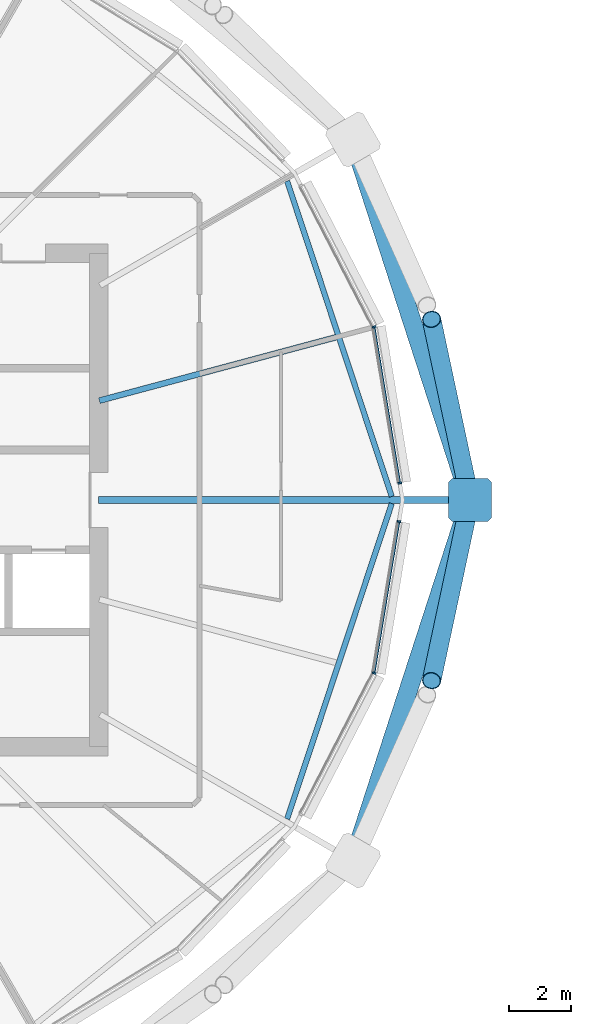
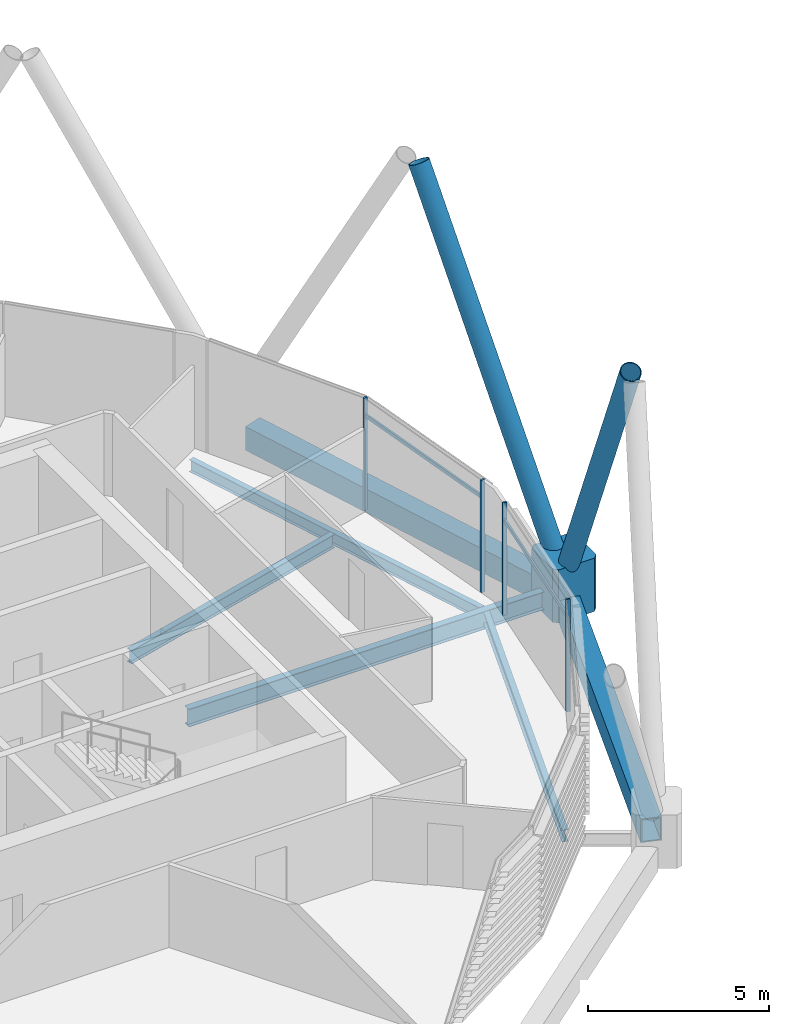
# One storey, part 8 of 35: 9 members, 6 beams, 1 element without a shape of its own.
"""IFC4 building model written with IfcOpenShell, lengths in metres."""

import ifcopenshell
import ifcopenshell.guid

model = None  # the IFC model being written
_history = None  # IfcOwnerHistory: only IFC2X3 demands one
_inside = {}  # id of a spatial element -> (the spatial element, [elements in it])
_under = {}  # id of a project, library or spatial element -> (it, [spatial elements below it])
_declared = {}  # id of a project -> (the project, [libraries it declares])
_typed = {}  # id of a type object -> (the type object, [elements of that type])
_made_of = {}  # id of a material, layer set ... -> (it, [elements and type objects made of it])


def new_model(schema):
    """Start an empty IFC model of exactly this schema.

    Asked for "IFC4X3", IfcOpenShell would pick the latest addendum, in which some entities
    have other attributes; the version numbers below select the first issue.
    IFC2X3 requires an IfcOwnerHistory on every rooted entity: one is made here for all.
    """
    global model, _history
    if schema == "IFC4X3":
        model = ifcopenshell.file(schema_version=(4, 3, 0, 0))
    else:
        model = ifcopenshell.file(schema=schema)
    _inside.clear()
    _under.clear()
    _declared.clear()
    _typed.clear()
    _made_of.clear()
    _history = None
    if model.schema == "IFC2X3":
        org = make("IfcOrganization", Name="unknown")
        user = make(
            "IfcPersonAndOrganization",
            ThePerson=make("IfcPerson", FamilyName="unknown"),
            TheOrganization=org,
        )
        app = make(
            "IfcApplication",
            ApplicationDeveloper=org,
            Version="unknown",
            ApplicationFullName="unknown",
            ApplicationIdentifier="unknown",
        )
        _history = make(
            "IfcOwnerHistory",
            OwningUser=user,
            OwningApplication=app,
            ChangeAction="ADDED",
            CreationDate=0,
        )
    return model


def make(cls, **values):
    """One entity of the class cls with the attributes given. An attribute that is None is left unset."""
    return model.create_entity(
        cls, **{name: value for name, value in values.items() if value is not None}
    )


def rooted(cls, **values):
    """An entity with a GlobalId (a new one), such as an element, a storey or a relation."""
    return make(cls, GlobalId=ifcopenshell.guid.new(), OwnerHistory=_history, **values)


def si_unit(unit_type, name, prefix=None):
    """IfcSIUnit, for example si_unit("LENGTHUNIT", "METRE", prefix="MILLI")."""
    return make("IfcSIUnit", UnitType=unit_type, Prefix=prefix, Name=name)


def assignment(units):
    """IfcUnitAssignment: the units of a project."""
    return None if units is None else make("IfcUnitAssignment", Units=units)


def point(xyz):
    """IfcCartesianPoint."""
    return None if xyz is None else make("IfcCartesianPoint", Coordinates=xyz)


def direction(xyz):
    """IfcDirection."""
    return None if xyz is None else make("IfcDirection", DirectionRatios=xyz)


def frame(location, z_axis=None, x_axis=None):
    """IfcAxis2Placement3D, a coordinate frame: its origin and axes. An axis left out is left unset."""
    return make(
        "IfcAxis2Placement3D",
        Location=point(location),
        Axis=direction(z_axis),
        RefDirection=direction(x_axis),
    )


def frame_2d(location, x_axis=None):
    """IfcAxis2Placement2D, a coordinate frame in the plane: its origin and x axis."""
    return make(
        "IfcAxis2Placement2D", Location=point(location), RefDirection=direction(x_axis)
    )


def origin():
    """The frame at (0, 0, 0) with its axes left unset."""
    return frame((0.0, 0.0, 0.0))


def origin_2d():
    """The frame at (0, 0) in the plane with its x axis left unset."""
    return frame_2d((0.0, 0.0))


def place(relative_to, where):
    """IfcLocalPlacement: puts the frame where relative to a parent placement (None: the world)."""
    return make(
        "IfcLocalPlacement", PlacementRelTo=relative_to, RelativePlacement=where
    )


def context(
    kind, dimensions, precision=None, world=None, true_north=None, identifier=None
):
    """IfcGeometricRepresentationContext, for example the 3D "Model" context."""
    return make(
        "IfcGeometricRepresentationContext",
        ContextIdentifier=identifier,
        ContextType=kind,
        CoordinateSpaceDimension=dimensions,
        Precision=precision,
        WorldCoordinateSystem=world,
        TrueNorth=true_north,
    )


def subcontext(parent, identifier, kind, view, scale=None):
    """IfcGeometricRepresentationSubContext, for example "Body" below "Model"."""
    return make(
        "IfcGeometricRepresentationSubContext",
        ContextIdentifier=identifier,
        ContextType=kind,
        ParentContext=parent,
        TargetScale=scale,
        TargetView=view,
    )


def project(units=None, contexts=None):
    """IfcProject with its units and contexts."""
    return rooted(
        "IfcProject",
        Name="project",
        RepresentationContexts=contexts,
        UnitsInContext=assignment(units),
    )


def spatial(cls, under=None, at=None, **own):
    """A site, building, storey or space (cls), placed at a placement, below another one or the project."""
    s = rooted(cls, ObjectPlacement=at, **own)
    if under is not None:
        _under.setdefault(under.id(), (under, []))[1].append(s)
    return s


def polyline(points):
    """IfcPolyline through the points."""
    return make("IfcPolyline", Points=[point(p) for p in points])


def profile(cls, at=None, kind="AREA", **sizes):
    """A parametric profile (cls). Its sizes go by their IFC names, for example OverallWidth=200.0."""
    return make(cls, ProfileType=kind, Position=at, **sizes)


def rectangle(**sizes):
    """IfcRectangleProfileDef."""
    return profile("IfcRectangleProfileDef", **sizes)


def hollow_rectangle(**sizes):
    """IfcRectangleHollowProfileDef."""
    return profile("IfcRectangleHollowProfileDef", **sizes)


def hollow_circle(**sizes):
    """IfcCircleHollowProfileDef."""
    return profile("IfcCircleHollowProfileDef", **sizes)


def i_section(**sizes):
    """IfcIShapeProfileDef."""
    return profile("IfcIShapeProfileDef", **sizes)


def outline(outer, holes=None, kind="AREA"):
    """IfcArbitraryClosedProfileDef: a profile drawn as a closed curve; with holes, ...WithVoids."""
    if holes is None:
        return make("IfcArbitraryClosedProfileDef", ProfileType=kind, OuterCurve=outer)
    return make(
        "IfcArbitraryProfileDefWithVoids",
        ProfileType=kind,
        OuterCurve=outer,
        InnerCurves=holes,
    )


def extrude(swept, where, along, depth):
    """IfcExtrudedAreaSolid: the profile swept, set in the frame where, extruded along a direction by depth."""
    return make(
        "IfcExtrudedAreaSolid",
        SweptArea=swept,
        Position=where,
        ExtrudedDirection=direction(along),
        Depth=depth,
    )


def shape(context_of_items, identifier, shape_type, items):
    """IfcShapeRepresentation: the items that make up one representation, for example the "Body"."""
    return make(
        "IfcShapeRepresentation",
        ContextOfItems=context_of_items,
        RepresentationIdentifier=identifier,
        RepresentationType=shape_type,
        Items=items,
    )


def material(Name=None, Category=None):
    """IfcMaterial."""
    return make("IfcMaterial", Name=Name, Category=Category)


def material_profile(
    of_material, cross_section, Name=None, Category=None, Priority=None
):
    """IfcMaterialProfile: a cross section and its material."""
    return make(
        "IfcMaterialProfile",
        Name=Name,
        Material=of_material,
        Profile=cross_section,
        Priority=Priority,
        Category=Category,
    )


def profile_set(profiles, Name=None, composite=None):
    """IfcMaterialProfileSet."""
    return make(
        "IfcMaterialProfileSet",
        Name=Name,
        MaterialProfiles=profiles,
        CompositeProfile=composite,
    )


def made_of(thing, what):
    """Note that an element or type object is made of a material, layer set ...; save() writes the relation."""
    if what is not None:
        _made_of.setdefault(what.id(), (what, []))[1].append(thing)
    return thing


def type_object(cls, material=None, **own):
    """A type object (cls), such as IfcWallType, which elements share."""
    return made_of(rooted(cls, **own), material)


def element(
    cls,
    number,
    at=None,
    inside=None,
    cuts=None,
    type_object=None,
    material=None,
    context=None,
    identifier="Body",
    shape_type=None,
    held_by="IfcProductDefinitionShape",
    body=None,
    shapes=None,
    **own,
):
    """One element of the class cls, such as IfcWall. Its Tag is "e" and its number.

    at: its placement. inside: the storey or other place that contains it. cuts: it is an
    opening in that element (IfcRelVoidsElement). A single representation is given by context,
    identifier, shape_type and body (its items); several are given by shapes. held_by: the class
    of the entity that holds the representations. save() writes the other relations.
    """
    e = rooted(cls, Tag="e%d" % number, ObjectPlacement=at, **own)
    if body is not None:
        shapes = [shape(context, identifier, shape_type, body)]
    if shapes is not None:
        e.Representation = make(held_by, Representations=shapes)
    if inside is not None:
        _inside.setdefault(inside.id(), (inside, []))[1].append(e)
    if cuts is not None:
        rooted(
            "IfcRelVoidsElement", RelatingBuildingElement=cuts, RelatedOpeningElement=e
        )
    if type_object is not None:
        _typed.setdefault(type_object.id(), (type_object, []))[1].append(e)
    return made_of(e, material)


def aggregate(whole, parts):
    """IfcRelAggregates: a whole, such as a stair, and the parts it consists of."""
    return rooted("IfcRelAggregates", RelatingObject=whole, RelatedObjects=parts)


def save(model, path):
    """Write the relations noted so far, then the file.

    IfcRelAggregates (storeys below a building ...), IfcRelContainedInSpatialStructure (elements
    in a storey), IfcRelDefinesByType, IfcRelAssociatesMaterial and IfcRelDeclares: one each for
    every whole, place, type object, material and project.
    """
    for whole, parts in _under.values():
        aggregate(whole, parts)
    for where, things in _inside.values():
        rooted(
            "IfcRelContainedInSpatialStructure",
            RelatedElements=things,
            RelatingStructure=where,
        )
    for kind, things in _typed.values():
        rooted("IfcRelDefinesByType", RelatedObjects=things, RelatingType=kind)
    for what, things in _made_of.values():
        rooted("IfcRelAssociatesMaterial", RelatedObjects=things, RelatingMaterial=what)
    for by, libraries in _declared.values():
        rooted("IfcRelDeclares", RelatingContext=by, RelatedDefinitions=libraries)
    model.write(path)


model = new_model("IFC4")

# Units and contexts
model_context = context("Model", 3, precision=1e-05, world=origin(), true_north=direction((0.0, 1.0)))
body_context = subcontext(model_context, "Body", "Model", "MODEL_VIEW")
ifc_project = project(units=[si_unit("LENGTHUNIT", "METRE"), si_unit("AREAUNIT", "SQUARE_METRE"), si_unit("VOLUMEUNIT", "CUBIC_METRE"), si_unit("PLANEANGLEUNIT", "RADIAN"), si_unit("MASSUNIT", "GRAM", prefix="KILO")], contexts=[model_context])

# Site, building, storey
site_placement = place(None, origin())
site = spatial("IfcSite", under=ifc_project, at=site_placement, CompositionType="ELEMENT")
building_placement = place(site_placement, origin())
building = spatial("IfcBuilding", under=site, at=building_placement, Name="Rimbun Link Towers", CompositionType="ELEMENT")
storey_placement = place(building_placement, frame((0.0, 0.0, 181.699951171875)))
storey = spatial("IfcBuildingStorey", under=building, at=storey_placement, Name="L44", CompositionType="ELEMENT", Elevation=181.699951171875)

# Curtain wall, members
ifc_material_1 = material(Name="Aluminium 6063-T6 and low-iron glass", Category="aluminium")
curtain_wall_type = type_object("IfcCurtainWallType", Name="CW1-Z3 unitised vision wall (zone 3)", PredefinedType="NOTDEFINED", material=ifc_material_1)
curtain_wall_placement = place(storey_placement, origin())
curtain_wall = element("IfcCurtainWall", 1, at=curtain_wall_placement, inside=storey, type_object=curtain_wall_type, Name="CW1 L44 T1", PredefinedType="NOTDEFINED")
ifc_material_2 = material(Name="Aluminium 6063-T6", Category="aluminium")
ifc_material_profile_1 = material_profile(ifc_material_2, rectangle(XDim=0.1201171875, YDim=0.06005859375, at=origin_2d()), Name="MULLION 60X120")
ifc_profile_set_1 = profile_set([ifc_material_profile_1], Name="Aluminium 6063-T6")
member_type_1 = type_object("IfcMemberType", Name="CW1 mullion 60X120", PredefinedType="MULLION", material=ifc_profile_set_1)
member_1_placement = place(storey_placement, frame((-10.81201171875, 5.61376953125, 0.0), z_axis=(0.0, 0.0, 1.0), x_axis=(0.94916191526, 0.31478827586, 0.0)))
member_1 = element("IfcMember", 2, at=member_1_placement, type_object=member_type_1, Name="CW1 mullion", PredefinedType="MULLION", context=body_context, shape_type="SweptSolid", body=[
    extrude(rectangle(XDim=0.1201171875, YDim=0.06005859375, at=origin_2d()), origin(), (0.0, 0.0, 1.0), 3.800048828125),
])
member_2_placement = place(storey_placement, frame((-9.97900390625, 0.552490234375, 0.0), z_axis=(0.0, 0.0, 1.0), x_axis=(0.98674908357, 0.162253647337, 0.0)))
member_2 = element("IfcMember", 3, at=member_2_placement, type_object=member_type_1, Name="CW1 mullion", PredefinedType="MULLION", context=body_context, shape_type="SweptSolid", body=[
    extrude(rectangle(XDim=0.1201171875, YDim=0.06005859375, at=origin_2d()), origin(), (0.0, 0.0, 1.0), 3.800048828125),
])
member_3_placement = place(storey_placement, frame((-10.81201171875, -5.61376953125, 0.0), z_axis=(0.0, 0.0, 1.0), x_axis=(0.94916191526, -0.31478827586, 0.0)))
member_3 = element("IfcMember", 4, at=member_3_placement, type_object=member_type_1, Name="CW1 mullion", PredefinedType="MULLION", context=body_context, shape_type="SweptSolid", body=[
    extrude(rectangle(XDim=0.1201171875, YDim=0.06005859375, at=origin_2d()), origin(), (0.0, 0.0, 1.0), 3.800048828125),
])
member_4_placement = place(storey_placement, frame((-10.00341796875, -0.700439453125, 0.0), z_axis=(0.0, 0.0, 1.0), x_axis=(0.98674908357, -0.162253647337, 0.0)))
member_4 = element("IfcMember", 5, at=member_4_placement, type_object=member_type_1, Name="CW1 mullion", PredefinedType="MULLION", context=body_context, shape_type="SweptSolid", body=[
    extrude(rectangle(XDim=0.1201171875, YDim=0.06005859375, at=origin_2d()), origin(), (0.0, 0.0, 1.0), 3.800048828125),
])
ifc_material_3 = material(Name="Aluminium 6063-T6", Category="aluminium")
ifc_material_profile_2 = material_profile(ifc_material_3, rectangle(XDim=0.06005859375, YDim=0.1201171875, at=origin_2d()), Name="TRANSOM 60X120")
ifc_profile_set_2 = profile_set([ifc_material_profile_2], Name="Aluminium 6063-T6")
member_type_2 = type_object("IfcMemberType", Name="CW1 transom 60X120", PredefinedType="USERDEFINED", material=ifc_profile_set_2)
member_5_placement = place(storey_placement, frame((-10.806884765625, 5.57470703125, 3.199951171875), z_axis=(0.162262589745, -0.986747613105, 0.0), x_axis=(0.986747613105, 0.162262589745, 0.0)))
member_5 = element("IfcMember", 6, at=member_5_placement, type_object=member_type_2, Name="CW1 transom", ObjectType="TRANSOM", PredefinedType="USERDEFINED", context=body_context, shape_type="SweptSolid", body=[
    extrude(rectangle(XDim=0.06005859375, YDim=0.1201171875, at=origin_2d()), origin(), (0.0, 0.0, 1.0), 5.06005859375),
])
member_6_placement = place(storey_placement, frame((-10.01025390625, -0.729736328125, 3.199951171875), z_axis=(-0.16224572979, -0.986750385439, 0.0), x_axis=(0.986750385439, -0.16224572979, 0.0)))
member_6 = element("IfcMember", 7, at=member_6_placement, type_object=member_type_2, Name="CW1 transom", ObjectType="TRANSOM", PredefinedType="USERDEFINED", context=body_context, shape_type="SweptSolid", body=[
    extrude(rectangle(XDim=0.06005859375, YDim=0.1201171875, at=origin_2d()), origin(), (0.0, 0.0, 1.0), 4.909912109375),
])
aggregate(curtain_wall, [member_1, member_2, member_3, member_4, member_5, member_6])

# Members
ifc_material_4 = material(Name="Steel S355J2H", Category="steel")
ifc_material_profile_3 = material_profile(ifc_material_4, hollow_circle(Radius=0.3046875, WallThickness=0.02490234375, at=origin_2d()), Name="Diagrid diagonal CHS 610x25")
ifc_profile_set_3 = profile_set([ifc_material_profile_3], Name="Steel S355J2H")
member_type_3 = type_object("IfcMemberType", Name="Diagrid diagonal CHS 610x25", PredefinedType="BRACE", material=ifc_profile_set_3)
for number, where, z_axis, x_axis, name in (
    (8, (-7.7490234375, -0.234619140625, 0.438720703125), (-0.100116491538, -0.469171366505, 0.877413766118), (0.977981521118, -0.208691505222, 0.0), "Diagrid diagonal T1 L44-L47 00a"),
    (9, (-7.7490234375, 0.234619140625, 0.438720703125), (-0.100116491538, 0.469171366505, 0.877413766118), (-0.977981521118, -0.208691505222, 0.0), "Diagrid diagonal T1 L44-L47 00b"),
):
    element("IfcMember", number, at=place(storey_placement, frame(where, z_axis=z_axis, x_axis=x_axis)), inside=storey, type_object=member_type_3, Name=name, PredefinedType="BRACE", context=body_context, shape_type="SweptSolid", body=[
        extrude(hollow_circle(Radius=0.3046875, WallThickness=0.02490234375, at=origin_2d()), origin(), (0.0, 0.0, 1.0), 11.992919921875),
    ])
ifc_material_5 = material(Name="Cast steel G20Mn5+QT, Rp0.2 300 MPa", Category="steel")
ifc_material_profile_4 = material_profile(ifc_material_5, outline(polyline([(0.699951171875, -0.570068359375), (0.699951171875, 0.570068359375), (0.570068359375, 0.699951171875), (-0.570068359375, 0.699951171875), (-0.699951171875, 0.570068359375), (-0.699951171875, -0.570068359375), (-0.570068359375, -0.699951171875), (0.570068359375, -0.699951171875), (0.699951171875, -0.570068359375)])), Name="NODE 1400x1400")
ifc_profile_set_4 = profile_set([ifc_material_profile_4], Name="Cast steel G20Mn5+QT, Rp0.2 300 MPa")
member_type_4 = type_object("IfcMemberType", Name="Diagrid node cast 1400", PredefinedType="USERDEFINED", material=ifc_profile_set_4)
member_7_placement = place(storey_placement, frame((-7.698974609375, 0.0, -0.89990234375), z_axis=(0.0, 0.0, 1.0), x_axis=(1.0, 0.0, 0.0)))
element("IfcMember", 10, at=member_7_placement, inside=storey, type_object=member_type_4, Name="Diagrid node L44 00", ObjectType="Diagrid node", PredefinedType="USERDEFINED", context=body_context, shape_type="SweptSolid", body=[
    extrude(outline(polyline([(0.699951171875, -0.570068359375), (0.699951171875, 0.570068359375), (0.570068359375, 0.699951171875), (-0.570068359375, 0.699951171875), (-0.699951171875, 0.570068359375), (-0.699951171875, -0.570068359375), (-0.570068359375, -0.699951171875), (0.570068359375, -0.699951171875), (0.699951171875, -0.570068359375)])), origin(), (0.0, 0.0, 1.0), 1.800048828125),
])

# Beams
ifc_material_6 = material(Name="Steel S355J2", Category="steel")
ifc_material_profile_5 = material_profile(ifc_material_6, hollow_rectangle(XDim=0.60009765625, YDim=0.800048828125, WallThickness=0.0400390625, at=origin_2d()), Name="Exoskeleton ring girder BOX 600x800x40")
ifc_profile_set_5 = profile_set([ifc_material_profile_5], Name="Steel S355J2")
beam_type_1 = type_object("IfcBeamType", Name="Exoskeleton ring girder BOX 600x800x40", PredefinedType="BEAM", material=ifc_profile_set_5)
for number, where, z_axis, x_axis, name in (
    (11, (-7.9150390625, 0.665771484375, -0.56005859375), (-0.308695391117, 0.951160951418, 0.0), (-0.951160951418, -0.308695391117, 0.0), "Exoskeleton ring girder L44 00"),
    (12, (-11.2783203125, -11.02880859375, -0.56005859375), (0.308695391117, 0.951160951418, 0.0), (-0.951160951418, 0.308695391117, 0.0), "Exoskeleton ring girder L44 09"),
):
    element("IfcBeam", number, at=place(storey_placement, frame(where, z_axis=z_axis, x_axis=x_axis)), inside=storey, type_object=beam_type_1, Name=name, PredefinedType="BEAM", context=body_context, shape_type="SweptSolid", body=[
        extrude(hollow_rectangle(XDim=0.60009765625, YDim=0.800048828125, WallThickness=0.0400390625, at=origin_2d()), origin(), (0.0, 0.0, 1.0), 10.895263671875),
    ])
ifc_material_7 = material(Name="Steel S355J2", Category="steel")
ifc_material_profile_6 = material_profile(ifc_material_7, i_section(OverallWidth=0.177978515625, OverallDepth=0.406494140625, WebThickness=0.0078125, FlangeThickness=0.0126953125, at=origin_2d()), Name="UB 406x178x60")
ifc_profile_set_6 = profile_set([ifc_material_profile_6], Name="Steel S355J2")
beam_type_2 = type_object("IfcBeamType", Name="UB 406x178x60", PredefinedType="BEAM", material=ifc_profile_set_6)
for number, where, z_axis, x_axis, name in (
    (13, (-10.240478515625, 0.11474609375, -0.353271484375), (-0.314848385114, 0.949141977995, 0.0), (-0.949141977995, -0.314848385114, 0.0), "Edge beam T1 L44 00-02"),
    (14, (-13.635009765625, -10.347900390625, -0.353271484375), (0.314848385114, 0.949141977995, 0.0), (-0.949141977995, 0.314848385114, 0.0), "Edge beam T1 L44 22-00"),
):
    element("IfcBeam", number, at=place(storey_placement, frame(where, z_axis=z_axis, x_axis=x_axis)), inside=storey, type_object=beam_type_2, Name=name, PredefinedType="BEAM", context=body_context, shape_type="SweptSolid", body=[
        extrude(i_section(OverallWidth=0.177978515625, OverallDepth=0.406494140625, WebThickness=0.0078125, FlangeThickness=0.0126953125, at=origin_2d()), origin(), (0.0, 0.0, 1.0), 10.781494140625),
    ])
ifc_material_8 = material(Name="Steel S355J2", Category="steel")
ifc_material_profile_7 = material_profile(ifc_material_8, i_section(OverallWidth=0.18994140625, OverallDepth=0.453369140625, WebThickness=0.008544921875, FlangeThickness=0.0126953125, at=origin_2d()), Name="UB 457x191x67")
ifc_profile_set_7 = profile_set([ifc_material_profile_7], Name="Steel S355J2")
beam_type_3 = type_object("IfcBeamType", Name="UB 457x191x67", PredefinedType="BEAM", material=ifc_profile_set_7)
beam_1_placement = place(storey_placement, frame((-19.724609375, 3.22216796875, -0.376708984375), z_axis=(0.965924739595, 0.258823100664, 0.0), x_axis=(-0.258823100664, 0.965924739595, 0.0)))
element("IfcBeam", 15, at=beam_1_placement, inside=storey, type_object=beam_type_3, Name="Radial beam T1 L44 01", PredefinedType="BEAM", context=body_context, shape_type="SweptSolid", body=[
    extrude(i_section(OverallWidth=0.18994140625, OverallDepth=0.453369140625, WebThickness=0.008544921875, FlangeThickness=0.0126953125, at=origin_2d()), origin(), (0.0, 0.0, 1.0), 7.947021484375),
])
ifc_material_9 = material(Name="Steel S355J2", Category="steel")
ifc_material_profile_8 = material_profile(ifc_material_9, i_section(OverallWidth=0.2275390625, OverallDepth=0.6025390625, WebThickness=0.010498046875, FlangeThickness=0.014892578125, at=origin_2d()), Name="UB 610x229x101")
ifc_profile_set_8 = profile_set([ifc_material_profile_8], Name="Steel S355J2")
beam_type_4 = type_object("IfcBeamType", Name="UB 610x229x101", PredefinedType="BEAM", material=ifc_profile_set_8)
beam_2_placement = place(storey_placement, frame((-19.7490234375, 0.0, -0.451171875), z_axis=(1.0, 0.0, 0.0), x_axis=(0.0, 1.0, 0.0)))
element("IfcBeam", 16, at=beam_2_placement, inside=storey, type_object=beam_type_4, Name="Radial beam T1 L44 00", PredefinedType="BEAM", context=body_context, shape_type="SweptSolid", body=[
    extrude(i_section(OverallWidth=0.2275390625, OverallDepth=0.6025390625, WebThickness=0.010498046875, FlangeThickness=0.014892578125, at=origin_2d()), origin(), (0.0, 0.0, 1.0), 11.550048828125),
])

save(model, "model.ifc")
